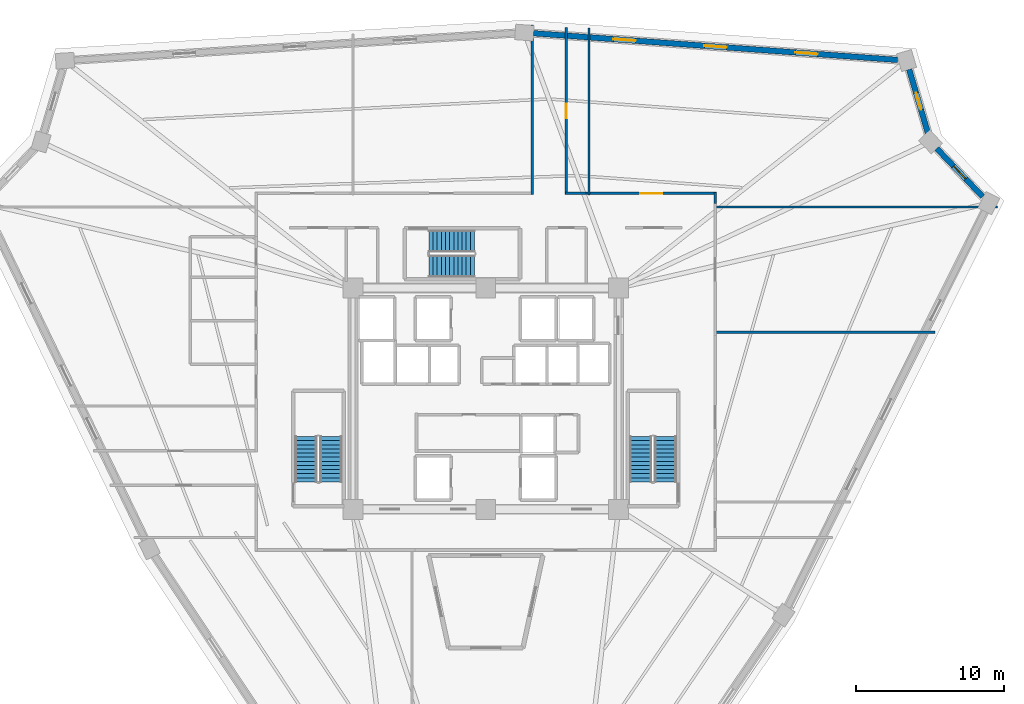
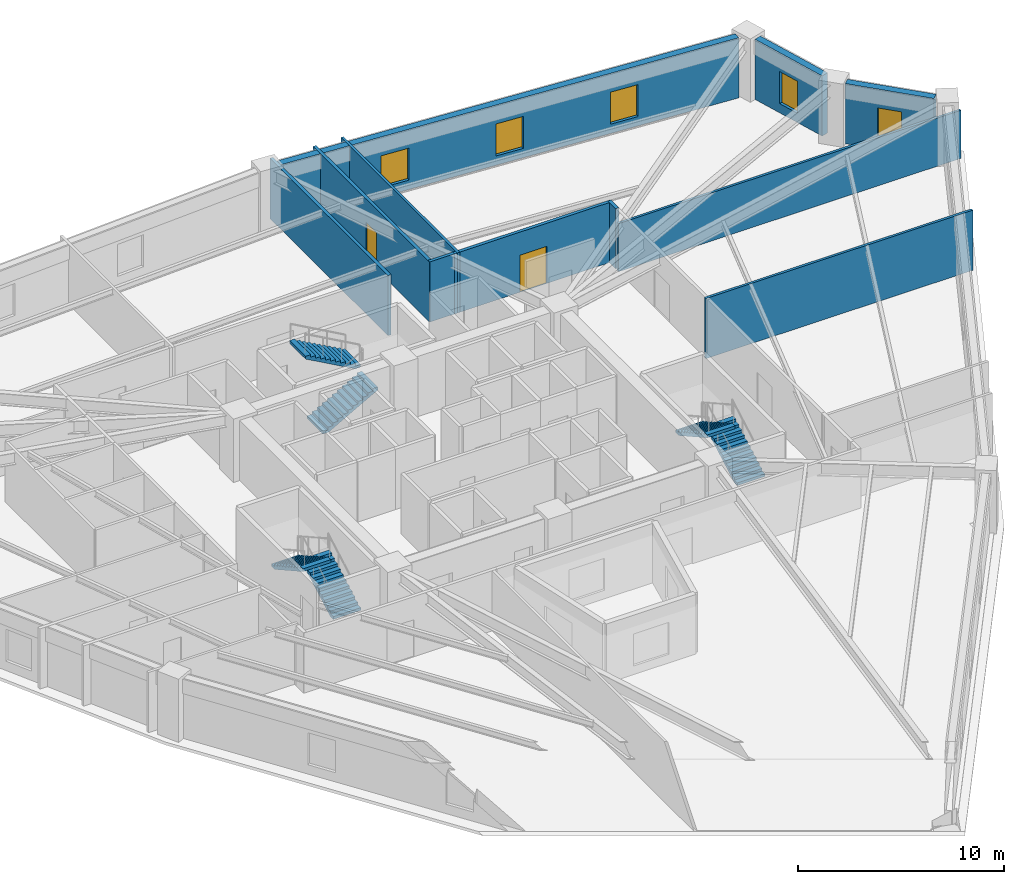
# One storey, part 7 of 10: 11 walls, 6 stair flights, 5 windows, 2 doors, 7 openings, 3 elements without a shape of their own.
"""IFC4 building model written with IfcOpenShell, lengths in metres."""

from ifc_helpers import new_model, si_unit, direction, frame, frame_2d, origin, place, context, subcontext, project, spatial, polyline, rectangle, outline, extrude, source, transform, mapped, material, layer, layer_set, type_object, element, fill, aggregate, save


model = new_model("IFC4")

# Units and contexts
model_context = context("Model", 3, precision=1e-05, world=origin(), true_north=direction((0.0, 1.0)))
body_context = subcontext(model_context, "Body", "Model", "MODEL_VIEW")
ifc_project = project(units=[si_unit("LENGTHUNIT", "METRE"), si_unit("AREAUNIT", "SQUARE_METRE"), si_unit("VOLUMEUNIT", "CUBIC_METRE"), si_unit("PLANEANGLEUNIT", "RADIAN"), si_unit("MASSUNIT", "GRAM", prefix="KILO")], contexts=[model_context])

# Site, building, storey
site_placement = place(None, origin())
site = spatial("IfcSite", under=ifc_project, at=site_placement, CompositionType="ELEMENT")
building_placement = place(site_placement, origin())
building = spatial("IfcBuilding", under=site, at=building_placement, Name="Liaohun Quay Tower", CompositionType="ELEMENT")
storey_placement = place(building_placement, frame((0.0, 0.0, 194.25)))
storey = spatial("IfcBuildingStorey", under=building, at=storey_placement, Name="L50", CompositionType="ELEMENT", Elevation=194.25)

# Wall, opening, window
ifc_material_1 = material(Name="Precast concrete C50 insulated sandwich", Category="concrete")
ifc_layer_1 = layer(ifc_material_1, 0.3798828125, Name="Precast concrete C50 insulated sandwich", Category="concrete")
ifc_layer_set_1 = layer_set([ifc_layer_1], Name="Precast concrete C50 insulated sandwich")
wall_type_1 = type_object("IfcWallType", Name="WAL-EXT-Z34", PredefinedType="SOLIDWALL", material=ifc_layer_set_1)
wall_1_placement = place(storey_placement, frame((93.674072265625, 67.693115234375, 0.0), z_axis=(0.0, 0.0, 1.0), x_axis=(-0.689502290867, 0.724283501737, 0.0)))
wall_1 = element("IfcWall", 1, at=wall_1_placement, inside=storey, type_object=wall_type_1, Name="L50 Brutalist Precast Pier Wall 04", PredefinedType="SOLIDWALL", context=body_context, shape_type="SweptSolid", body=[
    extrude(rectangle(XDim=4.50634765625, YDim=0.3798828125, at=frame_2d((2.253173828125, 0.0))), origin(), (0.0, 0.0, 1.0), 3.570068359375),
])
shared_shape_1 = source(origin(), body_context, "Body", "SweptSolid", [
    extrude(rectangle(XDim=1.199951171875, YDim=1.89990234375, at=frame_2d((0.60009765625, 0.949951171875))), frame((0.0, 0.199951171875, 0.0), z_axis=(0.0, -1.0, 0.0), x_axis=(1.0, 0.0, 0.0)), (0.0, 0.0, 1.0), 0.39990234375),
])
opening_1_placement = place(wall_1_placement, frame((1.653076171875, 0.0, 0.550048828125)))
opening_1 = element("IfcOpeningElement", 2, at=opening_1_placement, cuts=wall_1, Name="Opening W05", PredefinedType="OPENING", context=body_context, shape_type="MappedRepresentation", body=[
    mapped(shared_shape_1, transform((0.0, 0.0, 0.0), x_axis=(1.0, 0.0, 0.0), y_axis=(0.0, 1.0, 0.0), z_axis=(0.0, 0.0, 1.0), scale=1.0)),
])
ifc_material_2 = material(Name="Triple Low-E corner notch glazing", Category="glass")
window_type_1 = type_object("IfcWindowType", Name="WIN-NOTCH", PartitioningType="SINGLE_PANEL", PredefinedType="WINDOW", material=ifc_material_2)
shared_shape_2 = source(origin(), body_context, "Body", "SweptSolid", [
    extrude(rectangle(XDim=1.199951171875, YDim=1.89990234375, at=frame_2d((0.60009765625, 0.949951171875))), frame((0.0, 0.030029296875, 0.0), z_axis=(0.0, -1.0, 0.0), x_axis=(1.0, 0.0, 0.0)), (0.0, 0.0, 1.0), 0.06005859375),
])
window_1_placement = place(opening_1_placement, origin())
window_1 = element("IfcWindow", 3, at=window_1_placement, inside=storey, type_object=window_type_1, Name="L50 Corner Notch Window W05-04", OverallHeight=1.89990234375, OverallWidth=1.199951171875, PartitioningType="SINGLE_PANEL", PredefinedType="WINDOW", context=body_context, shape_type="MappedRepresentation", body=[
    mapped(shared_shape_2, transform((0.0, 0.0, 0.0), x_axis=(1.0, 0.0, 0.0), y_axis=(0.0, 1.0, 0.0), z_axis=(0.0, 0.0, 1.0), scale=1.0)),
])
fill(opening_1, window_1)

wall_2_placement = place(storey_placement, frame((89.968994140625, 71.992919921875, 0.0), z_axis=(0.0, 0.0, 1.0), x_axis=(-0.28264064014, 0.959225869408, 0.0)))
wall_2 = element("IfcWall", 4, at=wall_2_placement, inside=storey, type_object=wall_type_1, Name="L50 Brutalist Precast Pier Wall 05", PredefinedType="SOLIDWALL", context=body_context, shape_type="SweptSolid", body=[
    extrude(rectangle(XDim=4.51416015625, YDim=0.3798828125, at=frame_2d((2.257080078125, 0.0))), origin(), (0.0, 0.0, 1.0), 3.570068359375),
])
opening_2_placement = place(wall_2_placement, frame((1.656982421875, 0.0, 0.550048828125)))
opening_2 = element("IfcOpeningElement", 5, at=opening_2_placement, cuts=wall_2, Name="Opening W05", PredefinedType="OPENING", context=body_context, shape_type="MappedRepresentation", body=[
    mapped(shared_shape_1, transform((0.0, 0.0, 0.0), x_axis=(1.0, 0.0, 0.0), y_axis=(0.0, 1.0, 0.0), z_axis=(0.0, 0.0, 1.0), scale=1.0)),
])
window_2_placement = place(opening_2_placement, origin())
window_2 = element("IfcWindow", 6, at=window_2_placement, inside=storey, type_object=window_type_1, Name="L50 Corner Notch Window W05-05", OverallHeight=1.89990234375, OverallWidth=1.199951171875, PartitioningType="SINGLE_PANEL", PredefinedType="WINDOW", context=body_context, shape_type="MappedRepresentation", body=[
    mapped(shared_shape_2, transform((0.0, 0.0, 0.0), x_axis=(1.0, 0.0, 0.0), y_axis=(0.0, 1.0, 0.0), z_axis=(0.0, 0.0, 1.0), scale=1.0)),
])
fill(opening_2, window_2)

# Wall, openings, windows
wall_3_placement = place(storey_placement, frame((87.906005859375, 76.9580078125, 0.0), z_axis=(0.0, 0.0, 1.0), x_axis=(-0.997322728454, 0.073125749971, 0.0)))
wall_3 = element("IfcWall", 7, at=wall_3_placement, inside=storey, type_object=wall_type_1, Name="L50 Brutalist Precast Pier Wall 06", PredefinedType="SOLIDWALL", context=body_context, shape_type="SweptSolid", body=[
    extrude(rectangle(XDim=24.7392578125, YDim=0.3798828125, at=frame_2d((12.36962890625, 0.0))), origin(), (0.0, 0.0, 1.0), 3.570068359375),
])
shared_shape_3 = source(origin(), body_context, "Body", "SweptSolid", [
    extrude(rectangle(XDim=1.5, YDim=1.89990234375, at=frame_2d((0.75, 0.949951171875))), frame((0.0, 0.199951171875, 0.0), z_axis=(0.0, -1.0, 0.0), x_axis=(1.0, 0.0, 0.0)), (0.0, 0.0, 1.0), 0.39990234375),
])
opening_3_placement = place(wall_3_placement, frame((5.43505859375, 0.0, 0.550048828125)))
opening_3 = element("IfcOpeningElement", 8, at=opening_3_placement, cuts=wall_3, Name="Opening W03", PredefinedType="OPENING", context=body_context, shape_type="MappedRepresentation", body=[
    mapped(shared_shape_3, transform((0.0, 0.0, 0.0), x_axis=(1.0, 0.0, 0.0), y_axis=(0.0, 1.0, 0.0), z_axis=(0.0, 0.0, 1.0), scale=1.0)),
])
opening_4_placement = place(wall_3_placement, frame((11.6201171875, 0.0, 0.550048828125)))
opening_4 = element("IfcOpeningElement", 9, at=opening_4_placement, cuts=wall_3, Name="Opening W03", PredefinedType="OPENING", context=body_context, shape_type="MappedRepresentation", body=[
    mapped(shared_shape_3, transform((0.0, 0.0, 0.0), x_axis=(1.0, 0.0, 0.0), y_axis=(0.0, 1.0, 0.0), z_axis=(0.0, 0.0, 1.0), scale=1.0)),
])
opening_5_placement = place(wall_3_placement, frame((17.803955078125, 0.0, 0.550048828125)))
opening_5 = element("IfcOpeningElement", 10, at=opening_5_placement, cuts=wall_3, Name="Opening W03", PredefinedType="OPENING", context=body_context, shape_type="MappedRepresentation", body=[
    mapped(shared_shape_3, transform((0.0, 0.0, 0.0), x_axis=(1.0, 0.0, 0.0), y_axis=(0.0, 1.0, 0.0), z_axis=(0.0, 0.0, 1.0), scale=1.0)),
])
ifc_material_3 = material(Name="Triple Low-E argon glazing in thermally broken aluminium", Category="aluminium")
window_type_2 = type_object("IfcWindowType", Name="WIN-PUN-Z3", PartitioningType="DOUBLE_PANEL_VERTICAL", PredefinedType="WINDOW", material=ifc_material_3)
shared_shape_4 = source(origin(), body_context, "Body", "SweptSolid", [
    extrude(rectangle(XDim=1.5, YDim=1.89990234375, at=frame_2d((0.75, 0.949951171875))), frame((0.0, 0.030029296875, 0.0), z_axis=(0.0, -1.0, 0.0), x_axis=(1.0, 0.0, 0.0)), (0.0, 0.0, 1.0), 0.06005859375),
])
window_3_placement = place(opening_3_placement, origin())
window_3 = element("IfcWindow", 11, at=window_3_placement, inside=storey, type_object=window_type_2, Name="L50 Recessed Cold-Climate Punched Window 06-1", OverallHeight=1.89990234375, OverallWidth=1.5, PartitioningType="DOUBLE_PANEL_VERTICAL", PredefinedType="WINDOW", context=body_context, shape_type="MappedRepresentation", body=[
    mapped(shared_shape_4, transform((0.0, 0.0, 0.0), x_axis=(1.0, 0.0, 0.0), y_axis=(0.0, 1.0, 0.0), z_axis=(0.0, 0.0, 1.0), scale=1.0)),
])
fill(opening_3, window_3)
window_4_placement = place(opening_4_placement, origin())
window_4 = element("IfcWindow", 12, at=window_4_placement, inside=storey, type_object=window_type_2, Name="L50 Recessed Cold-Climate Punched Window 06-2", OverallHeight=1.89990234375, OverallWidth=1.5, PartitioningType="DOUBLE_PANEL_VERTICAL", PredefinedType="WINDOW", context=body_context, shape_type="MappedRepresentation", body=[
    mapped(shared_shape_4, transform((0.0, 0.0, 0.0), x_axis=(1.0, 0.0, 0.0), y_axis=(0.0, 1.0, 0.0), z_axis=(0.0, 0.0, 1.0), scale=1.0)),
])
fill(opening_4, window_4)
window_5_placement = place(opening_5_placement, origin())
window_5 = element("IfcWindow", 13, at=window_5_placement, inside=storey, type_object=window_type_2, Name="L50 Recessed Cold-Climate Punched Window 06-3", OverallHeight=1.89990234375, OverallWidth=1.5, PartitioningType="DOUBLE_PANEL_VERTICAL", PredefinedType="WINDOW", context=body_context, shape_type="MappedRepresentation", body=[
    mapped(shared_shape_4, transform((0.0, 0.0, 0.0), x_axis=(1.0, 0.0, 0.0), y_axis=(0.0, 1.0, 0.0), z_axis=(0.0, 0.0, 1.0), scale=1.0)),
])
fill(opening_5, window_5)

# Wall, opening, door
ifc_material_4 = material(Name="Autoclaved aerated concrete blockwork", Category="masonry")
ifc_layer_2 = layer(ifc_material_4, 0.179931640625, Name="Autoclaved aerated concrete blockwork", Category="masonry")
ifc_layer_set_2 = layer_set([ifc_layer_2], Name="Autoclaved aerated concrete blockwork")
wall_type_2 = type_object("IfcWallType", Name="WAL-PRT-COR", PredefinedType="PARTITIONING", material=ifc_layer_set_2)
wall_4_placement = place(storey_placement, frame((66.784912109375, 67.909912109375, 0.0), z_axis=(0.0, 0.0, 1.0), x_axis=(1.0, 0.0, 0.0)))
wall_4 = element("IfcWall", 14, at=wall_4_placement, inside=storey, type_object=wall_type_2, Name="L50 Interior Partition Wall 012", PredefinedType="PARTITIONING", context=body_context, shape_type="SweptSolid", body=[
    extrude(rectangle(XDim=8.844970703125, YDim=0.179931640625, at=frame_2d((4.42236328125, 0.0))), origin(), (0.0, 0.0, 1.0), 3.570068359375),
])
shared_shape_5 = source(origin(), body_context, "Body", "SweptSolid", [
    extrude(rectangle(XDim=1.5, YDim=2.199951171875, at=frame_2d((0.75, 1.10009765625))), frame((0.0, 0.099853515625, 0.0), z_axis=(0.0, -1.0, 0.0), x_axis=(1.0, 0.0, 0.0)), (0.0, 0.0, 1.0), 0.199951171875),
])
opening_6_placement = place(wall_4_placement, frame((3.672119140625, 0.0, 0.0)))
opening_6 = element("IfcOpeningElement", 15, at=opening_6_placement, cuts=wall_4, Name="Opening OD2", PredefinedType="OPENING", context=body_context, shape_type="MappedRepresentation", body=[
    mapped(shared_shape_5, transform((0.0, 0.0, 0.0), x_axis=(1.0, 0.0, 0.0), y_axis=(0.0, 1.0, 0.0), z_axis=(0.0, 0.0, 1.0), scale=1.0)),
])
ifc_material_5 = material(Name="Acoustic oak veneer double door")
door_type_1 = type_object("IfcDoorType", Name="DOR-OFF-1500", OperationType="DOUBLE_DOOR_SINGLE_SWING", PredefinedType="DOOR", material=ifc_material_5)
shared_shape_6 = source(origin(), body_context, "Body", "SweptSolid", [
    extrude(rectangle(XDim=1.5, YDim=2.199951171875, at=frame_2d((0.75, 1.10009765625))), frame((0.0, 0.02490234375, 0.0), z_axis=(0.0, -1.0, 0.0), x_axis=(1.0, 0.0, 0.0)), (0.0, 0.0, 1.0), 0.050048828125),
])
door_1_placement = place(opening_6_placement, origin())
door_1 = element("IfcDoor", 16, at=door_1_placement, inside=storey, type_object=door_type_1, Name="L50 Engineering Model Workshop 02 Door", OperationType="DOUBLE_DOOR_SINGLE_SWING", OverallHeight=2.199951171875, OverallWidth=1.5, PredefinedType="DOOR", context=body_context, shape_type="MappedRepresentation", body=[
    mapped(shared_shape_6, transform((0.0, 0.0, 0.0), x_axis=(1.0, 0.0, 0.0), y_axis=(0.0, 1.0, 0.0), z_axis=(0.0, 0.0, 1.0), scale=1.0)),
])
fill(opening_6, door_1)

wall_5_placement = place(storey_placement, frame((65.4599609375, 79.14501953125, 0.0), z_axis=(0.0, 0.0, 1.0), x_axis=(0.0, -1.0, 0.0)))
wall_5 = element("IfcWall", 17, at=wall_5_placement, inside=storey, type_object=wall_type_2, Name="L50 Interior Partition Wall 013", PredefinedType="PARTITIONING", context=body_context, shape_type="SweptSolid", body=[
    extrude(rectangle(XDim=11.304931640625, YDim=0.179931640625, at=frame_2d((5.65234375, 0.0))), origin(), (0.0, 0.0, 1.0), 3.570068359375),
])
shared_shape_7 = source(origin(), body_context, "Body", "SweptSolid", [
    extrude(rectangle(XDim=1.0, YDim=2.199951171875, at=frame_2d((0.5, 1.10009765625))), frame((0.0, 0.099853515625, 0.0), z_axis=(0.0, -1.0, 0.0), x_axis=(1.0, 0.0, 0.0)), (0.0, 0.0, 1.0), 0.199951171875),
])
opening_7_placement = place(wall_5_placement, frame((5.152099609375, 0.0, 0.0)))
opening_7 = element("IfcOpeningElement", 18, at=opening_7_placement, cuts=wall_5, Name="Opening OD1", PredefinedType="OPENING", context=body_context, shape_type="MappedRepresentation", body=[
    mapped(shared_shape_7, transform((0.0, 0.0, 0.0), x_axis=(1.0, 0.0, 0.0), y_axis=(0.0, 1.0, 0.0), z_axis=(0.0, 0.0, 1.0), scale=1.0)),
])
ifc_material_6 = material(Name="Solid-core oak veneer timber leaf in steel frame", Category="steel")
door_type_2 = type_object("IfcDoorType", Name="DOR-OFF-1000", OperationType="NOTDEFINED", PredefinedType="DOOR", material=ifc_material_6)
shared_shape_8 = source(origin(), body_context, "Body", "SweptSolid", [
    extrude(rectangle(XDim=1.0, YDim=2.199951171875, at=frame_2d((0.5, 1.10009765625))), frame((0.0, 0.02490234375, 0.0), z_axis=(0.0, -1.0, 0.0), x_axis=(1.0, 0.0, 0.0)), (0.0, 0.0, 1.0), 0.050048828125),
])
door_2_placement = place(opening_7_placement, origin())
door_2 = element("IfcDoor", 19, at=door_2_placement, inside=storey, type_object=door_type_2, Name="L50 Staff Daycare Nursery 03 Door", OperationType="SINGLE_SWING_LEFT", OverallHeight=2.199951171875, OverallWidth=1.0, PredefinedType="DOOR", context=body_context, shape_type="MappedRepresentation", body=[
    mapped(shared_shape_8, transform((0.0, 0.0, 0.0), x_axis=(1.0, 0.0, 0.0), y_axis=(0.0, 1.0, 0.0), z_axis=(0.0, 0.0, 1.0), scale=1.0)),
])
fill(opening_7, door_2)

# Walls
wall_6_placement = place(storey_placement, frame((75.56005859375, 67.97998046875, 0.0), z_axis=(0.0, 0.0, 1.0), x_axis=(0.0, -1.0, 0.0)))
element("IfcWall", 20, at=wall_6_placement, inside=storey, type_object=wall_type_2, Name="L50 Interior Partition Wall 036", PredefinedType="PARTITIONING", context=body_context, shape_type="SweptSolid", body=[
    extrude(rectangle(XDim=0.764892578125, YDim=0.179931640625, at=frame_2d((0.38232421875, 0.0))), origin(), (0.0, 0.0, 1.0), 3.570068359375),
])
wall_7_placement = place(storey_placement, frame((65.389892578125, 67.909912109375, 0.0), z_axis=(0.0, 0.0, 1.0), x_axis=(1.0, 0.0, 0.0)))
element("IfcWall", 21, at=wall_7_placement, inside=storey, type_object=wall_type_2, Name="L50 Interior Partition Wall 037", PredefinedType="PARTITIONING", context=body_context, shape_type="SweptSolid", body=[
    extrude(rectangle(XDim=1.39501953125, YDim=0.179931640625, at=frame_2d((0.697509765625, 0.0))), origin(), (0.0, 0.0, 1.0), 3.570068359375),
])
wall_8_placement = place(storey_placement, frame((63.139892578125, 67.840087890625, 0.0), z_axis=(0.0, 0.0, 1.0), x_axis=(0.0, 1.0, 0.0)))
element("IfcWall", 22, at=wall_8_placement, inside=storey, type_object=wall_type_2, Name="L50 Interior Partition Wall 038", PredefinedType="PARTITIONING", context=body_context, shape_type="SweptSolid", body=[
    extrude(rectangle(XDim=11.474853515625, YDim=0.179931640625, at=frame_2d((5.7373046875, 0.0))), origin(), (0.0, 0.0, 1.0), 3.570068359375),
])
ifc_material_7 = material(Name="Gypsum board on twin steel studs", Category="steel")
ifc_layer_3 = layer(ifc_material_7, 0.139892578125, Name="Gypsum board on twin steel studs", Category="steel")
ifc_layer_set_3 = layer_set([ifc_layer_3], Name="Gypsum board on twin steel studs")
wall_type_3 = type_object("IfcWallType", Name="WAL-PRT-OFF", PredefinedType="PARTITIONING", material=ifc_layer_set_3)
wall_9_placement = place(storey_placement, frame((75.4599609375, 58.5, 0.0), z_axis=(0.0, 0.0, 1.0), x_axis=(1.0, 0.0, 0.0)))
element("IfcWall", 23, at=wall_9_placement, inside=storey, type_object=wall_type_3, Name="L50 Interior Partition Wall 050", PredefinedType="PARTITIONING", context=body_context, shape_type="SweptSolid", body=[
    extrude(rectangle(XDim=14.98095703125, YDim=0.139892578125, at=frame_2d((7.490478515625, 0.0))), origin(), (0.0, 0.0, 1.0), 3.570068359375),
])
wall_10_placement = place(storey_placement, frame((75.4599609375, 67.0, 0.0), z_axis=(0.0, 0.0, 1.0), x_axis=(1.0, 0.0, 0.0)))
element("IfcWall", 24, at=wall_10_placement, inside=storey, type_object=wall_type_3, Name="L50 Interior Partition Wall 051", PredefinedType="PARTITIONING", context=body_context, shape_type="SweptSolid", body=[
    extrude(rectangle(XDim=19.218994140625, YDim=0.139892578125, at=frame_2d((9.609375, 0.0))), origin(), (0.0, 0.0, 1.0), 2.85498046875),
])
wall_11_placement = place(storey_placement, frame((67.0, 67.81005859375, 0.0), z_axis=(0.0, 0.0, 1.0), x_axis=(0.0, 1.0, 0.0)))
element("IfcWall", 25, at=wall_11_placement, inside=storey, type_object=wall_type_3, Name="L50 Interior Partition Wall 053", PredefinedType="PARTITIONING", context=body_context, shape_type="SweptSolid", body=[
    extrude(rectangle(XDim=11.31298828125, YDim=0.139892578125, at=frame_2d((5.656494140625, 0.0))), origin(), (0.0, 0.0, 1.0), 3.570068359375),
])

# Stair, stair flights
ifc_material_8 = material(Name="Concrete C45", Category="concrete")
stair_type = type_object("IfcStairType", Name="STR-CORE-OFF", PredefinedType="HALF_TURN_STAIR", material=ifc_material_8)
stair_1_placement = place(storey_placement, origin())
stair_1 = element("IfcStair", 26, at=stair_1_placement, inside=storey, type_object=stair_type, Name="L50 Smokeproof Core Exit Stair ST-1", PredefinedType="HALF_TURN_STAIR")
stair_flight_type = type_object("IfcStairFlightType", Name="FLT-CORE-155", PredefinedType="STRAIGHT", material=ifc_material_8)
stair_flight_1_placement = place(storey_placement, frame((49.5048828125, 48.35009765625, 0.0), z_axis=(0.0, 0.0, 1.0), x_axis=(0.0, 1.0, 0.0)))
stair_flight_1 = element("IfcStairFlight", 27, at=stair_flight_1_placement, type_object=stair_flight_type, Name="ST-1 flight 1", NumberOfRisers=12, NumberOfTreads=11, PredefinedType="STRAIGHT", RiserHeight=0.15625, TreadLength=0.28, context=body_context, shape_type="SweptSolid", body=[
    extrude(outline(polyline([(0.0, 0.0), (0.0, 0.15625), (0.280029296875, 0.15625), (0.280029296875, 0.3125), (0.56005859375, 0.3125), (0.56005859375, 0.46875), (0.840087890625, 0.46875), (0.840087890625, 0.625), (1.1201171875, 0.625), (1.1201171875, 0.78125), (1.39990234375, 0.78125), (1.39990234375, 0.9375), (1.679931640625, 0.9375), (1.679931640625, 1.09375), (1.9599609375, 1.09375), (1.9599609375, 1.25), (2.239990234375, 1.25), (2.239990234375, 1.40625), (2.52001953125, 1.40625), (2.52001953125, 1.5625), (2.800048828125, 1.5625), (2.800048828125, 1.71875), (3.080078125, 1.71875), (3.080078125, 1.875), (3.080078125, 1.547119140625), (0.3076171875, 0.0), (0.0, 0.0)])), frame((0.0, 0.77490234375, 0.0), z_axis=(0.0, -1.0, 0.0), x_axis=(1.0, 0.0, 0.0)), (0.0, 0.0, 1.0), 1.550048828125),
])
stair_flight_2_placement = place(storey_placement, frame((47.81494140625, 51.429931640625, 1.875), z_axis=(0.0, 0.0, 1.0), x_axis=(0.0, -1.0, 0.0)))
stair_flight_2 = element("IfcStairFlight", 28, at=stair_flight_2_placement, type_object=stair_flight_type, Name="ST-1 flight 2", NumberOfRisers=12, NumberOfTreads=11, PredefinedType="STRAIGHT", RiserHeight=0.15625, TreadLength=0.28, context=body_context, shape_type="SweptSolid", body=[
    extrude(outline(polyline([(0.0, 0.0), (0.0, 0.15625), (0.280029296875, 0.15625), (0.280029296875, 0.3125), (0.56005859375, 0.3125), (0.56005859375, 0.46875), (0.840087890625, 0.46875), (0.840087890625, 0.625), (1.1201171875, 0.625), (1.1201171875, 0.78125), (1.39990234375, 0.78125), (1.39990234375, 0.9375), (1.679931640625, 0.9375), (1.679931640625, 1.09375), (1.9599609375, 1.09375), (1.9599609375, 1.25), (2.239990234375, 1.25), (2.239990234375, 1.40625), (2.52001953125, 1.40625), (2.52001953125, 1.5625), (2.800048828125, 1.5625), (2.800048828125, 1.71875), (3.080078125, 1.71875), (3.080078125, 1.875), (3.080078125, 1.547119140625), (0.3076171875, 0.0), (0.0, 0.0)])), frame((0.0, 0.77490234375, 0.0), z_axis=(0.0, -1.0, 0.0), x_axis=(1.0, 0.0, 0.0)), (0.0, 0.0, 1.0), 1.550048828125),
])
aggregate(stair_1, [stair_flight_1, stair_flight_2])

stair_2_placement = place(storey_placement, origin())
stair_2 = element("IfcStair", 29, at=stair_2_placement, inside=storey, type_object=stair_type, Name="L50 Smokeproof Core Exit Stair ST-2", PredefinedType="HALF_TURN_STAIR")
stair_flight_3_placement = place(storey_placement, frame((72.18505859375, 48.35009765625, 0.0), z_axis=(0.0, 0.0, 1.0), x_axis=(0.0, 1.0, 0.0)))
stair_flight_3 = element("IfcStairFlight", 30, at=stair_flight_3_placement, type_object=stair_flight_type, Name="ST-2 flight 1", NumberOfRisers=12, NumberOfTreads=11, PredefinedType="STRAIGHT", RiserHeight=0.15625, TreadLength=0.28, context=body_context, shape_type="SweptSolid", body=[
    extrude(outline(polyline([(0.0, 0.0), (0.0, 0.15625), (0.280029296875, 0.15625), (0.280029296875, 0.3125), (0.56005859375, 0.3125), (0.56005859375, 0.46875), (0.840087890625, 0.46875), (0.840087890625, 0.625), (1.1201171875, 0.625), (1.1201171875, 0.78125), (1.39990234375, 0.78125), (1.39990234375, 0.9375), (1.679931640625, 0.9375), (1.679931640625, 1.09375), (1.9599609375, 1.09375), (1.9599609375, 1.25), (2.239990234375, 1.25), (2.239990234375, 1.40625), (2.52001953125, 1.40625), (2.52001953125, 1.5625), (2.800048828125, 1.5625), (2.800048828125, 1.71875), (3.080078125, 1.71875), (3.080078125, 1.875), (3.080078125, 1.547119140625), (0.3076171875, 0.0), (0.0, 0.0)])), frame((0.0, 0.77490234375, 0.0), z_axis=(0.0, -1.0, 0.0), x_axis=(1.0, 0.0, 0.0)), (0.0, 0.0, 1.0), 1.550048828125),
])
stair_flight_4_placement = place(storey_placement, frame((70.4951171875, 51.429931640625, 1.875), z_axis=(0.0, 0.0, 1.0), x_axis=(0.0, -1.0, 0.0)))
stair_flight_4 = element("IfcStairFlight", 31, at=stair_flight_4_placement, type_object=stair_flight_type, Name="ST-2 flight 2", NumberOfRisers=12, NumberOfTreads=11, PredefinedType="STRAIGHT", RiserHeight=0.15625, TreadLength=0.28, context=body_context, shape_type="SweptSolid", body=[
    extrude(outline(polyline([(0.0, 0.0), (0.0, 0.15625), (0.280029296875, 0.15625), (0.280029296875, 0.3125), (0.56005859375, 0.3125), (0.56005859375, 0.46875), (0.840087890625, 0.46875), (0.840087890625, 0.625), (1.1201171875, 0.625), (1.1201171875, 0.78125), (1.39990234375, 0.78125), (1.39990234375, 0.9375), (1.679931640625, 0.9375), (1.679931640625, 1.09375), (1.9599609375, 1.09375), (1.9599609375, 1.25), (2.239990234375, 1.25), (2.239990234375, 1.40625), (2.52001953125, 1.40625), (2.52001953125, 1.5625), (2.800048828125, 1.5625), (2.800048828125, 1.71875), (3.080078125, 1.71875), (3.080078125, 1.875), (3.080078125, 1.547119140625), (0.3076171875, 0.0), (0.0, 0.0)])), frame((0.0, 0.77490234375, 0.0), z_axis=(0.0, -1.0, 0.0), x_axis=(1.0, 0.0, 0.0)), (0.0, 0.0, 1.0), 1.550048828125),
])
aggregate(stair_2, [stair_flight_3, stair_flight_4])

stair_3_placement = place(storey_placement, origin())
stair_3 = element("IfcStair", 32, at=stair_3_placement, inside=storey, type_object=stair_type, Name="L50 Smokeproof Core Exit Stair ST-3", PredefinedType="HALF_TURN_STAIR")
stair_flight_5_placement = place(storey_placement, frame((56.14990234375, 62.97509765625, 0.0), z_axis=(0.0, 0.0, 1.0), x_axis=(1.0, 0.0, 0.0)))
stair_flight_5 = element("IfcStairFlight", 33, at=stair_flight_5_placement, type_object=stair_flight_type, Name="ST-3 flight 1", NumberOfRisers=12, NumberOfTreads=11, PredefinedType="STRAIGHT", RiserHeight=0.15625, TreadLength=0.28, context=body_context, shape_type="SweptSolid", body=[
    extrude(outline(polyline([(0.0, 0.0), (0.0, 0.15625), (0.280029296875, 0.15625), (0.280029296875, 0.3125), (0.56005859375, 0.3125), (0.56005859375, 0.46875), (0.840087890625, 0.46875), (0.840087890625, 0.625), (1.1201171875, 0.625), (1.1201171875, 0.78125), (1.39990234375, 0.78125), (1.39990234375, 0.9375), (1.679931640625, 0.9375), (1.679931640625, 1.09375), (1.9599609375, 1.09375), (1.9599609375, 1.25), (2.239990234375, 1.25), (2.239990234375, 1.40625), (2.52001953125, 1.40625), (2.52001953125, 1.5625), (2.800048828125, 1.5625), (2.800048828125, 1.71875), (3.080078125, 1.71875), (3.080078125, 1.875), (3.080078125, 1.547119140625), (0.3076171875, 0.0), (0.0, 0.0)])), frame((0.0, 0.77490234375, 0.0), z_axis=(0.0, -1.0, 0.0), x_axis=(1.0, 0.0, 0.0)), (0.0, 0.0, 1.0), 1.550048828125),
])
stair_flight_6_placement = place(storey_placement, frame((59.22998046875, 64.6650390625, 1.875), z_axis=(0.0, 0.0, 1.0), x_axis=(-1.0, 0.0, 0.0)))
stair_flight_6 = element("IfcStairFlight", 34, at=stair_flight_6_placement, type_object=stair_flight_type, Name="ST-3 flight 2", NumberOfRisers=12, NumberOfTreads=11, PredefinedType="STRAIGHT", RiserHeight=0.15625, TreadLength=0.28, context=body_context, shape_type="SweptSolid", body=[
    extrude(outline(polyline([(0.0, 0.0), (0.0, 0.15625), (0.280029296875, 0.15625), (0.280029296875, 0.3125), (0.56005859375, 0.3125), (0.56005859375, 0.46875), (0.840087890625, 0.46875), (0.840087890625, 0.625), (1.1201171875, 0.625), (1.1201171875, 0.78125), (1.39990234375, 0.78125), (1.39990234375, 0.9375), (1.679931640625, 0.9375), (1.679931640625, 1.09375), (1.9599609375, 1.09375), (1.9599609375, 1.25), (2.239990234375, 1.25), (2.239990234375, 1.40625), (2.52001953125, 1.40625), (2.52001953125, 1.5625), (2.800048828125, 1.5625), (2.800048828125, 1.71875), (3.080078125, 1.71875), (3.080078125, 1.875), (3.080078125, 1.547119140625), (0.3076171875, 0.0), (0.0, 0.0)])), frame((0.0, 0.77490234375, 0.0), z_axis=(0.0, -1.0, 0.0), x_axis=(1.0, 0.0, 0.0)), (0.0, 0.0, 1.0), 1.550048828125),
])
aggregate(stair_3, [stair_flight_5, stair_flight_6])

save(model, "model.ifc")
